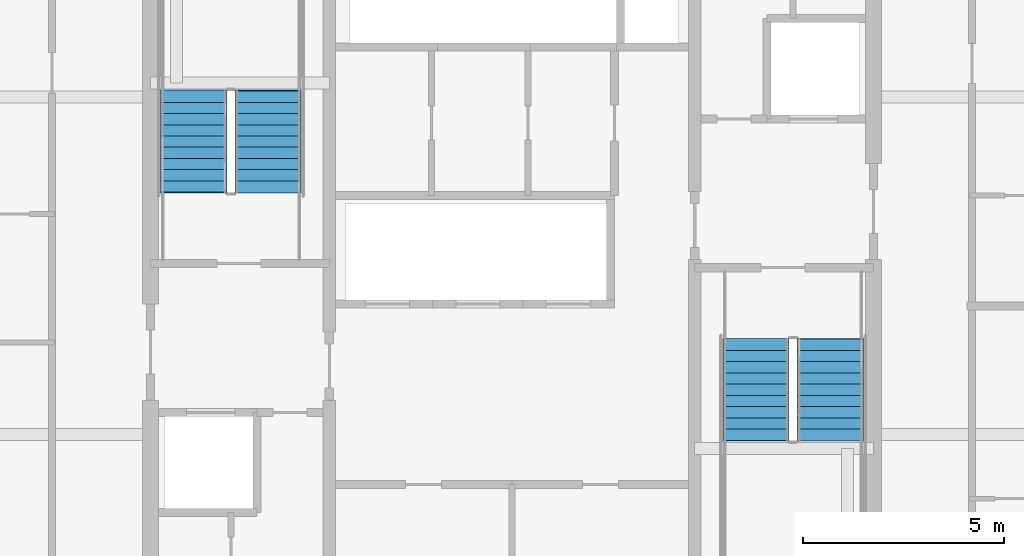
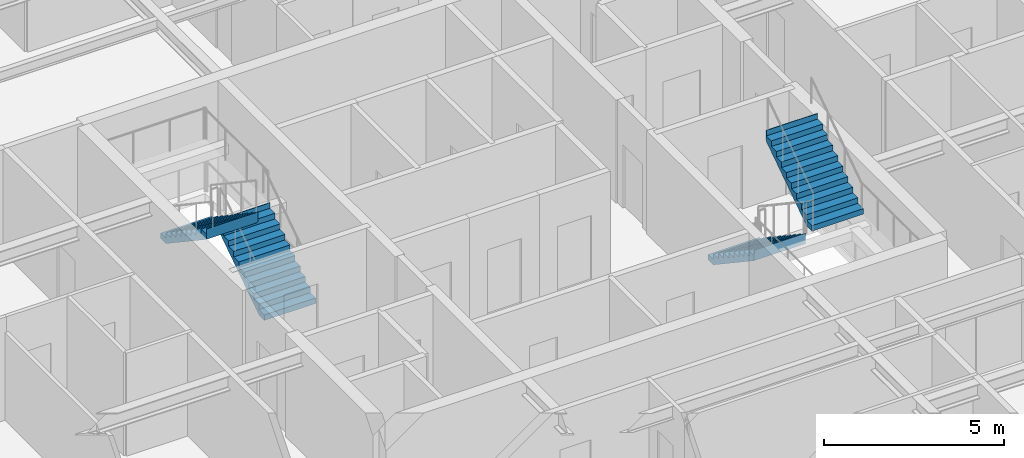
# One storey, part 29 of 35: 4 stair flights, 2 elements without a shape of their own.
"""IFC4 building model written with IfcOpenShell, lengths in metres."""

import ifcopenshell
import ifcopenshell.guid

model = None  # the IFC model being written
_history = None  # IfcOwnerHistory: only IFC2X3 demands one
_inside = {}  # id of a spatial element -> (the spatial element, [elements in it])
_under = {}  # id of a project, library or spatial element -> (it, [spatial elements below it])
_declared = {}  # id of a project -> (the project, [libraries it declares])
_typed = {}  # id of a type object -> (the type object, [elements of that type])
_made_of = {}  # id of a material, layer set ... -> (it, [elements and type objects made of it])


def new_model(schema):
    """Start an empty IFC model of exactly this schema.

    Asked for "IFC4X3", IfcOpenShell would pick the latest addendum, in which some entities
    have other attributes; the version numbers below select the first issue.
    IFC2X3 requires an IfcOwnerHistory on every rooted entity: one is made here for all.
    """
    global model, _history
    if schema == "IFC4X3":
        model = ifcopenshell.file(schema_version=(4, 3, 0, 0))
    else:
        model = ifcopenshell.file(schema=schema)
    _inside.clear()
    _under.clear()
    _declared.clear()
    _typed.clear()
    _made_of.clear()
    _history = None
    if model.schema == "IFC2X3":
        org = make("IfcOrganization", Name="unknown")
        user = make(
            "IfcPersonAndOrganization",
            ThePerson=make("IfcPerson", FamilyName="unknown"),
            TheOrganization=org,
        )
        app = make(
            "IfcApplication",
            ApplicationDeveloper=org,
            Version="unknown",
            ApplicationFullName="unknown",
            ApplicationIdentifier="unknown",
        )
        _history = make(
            "IfcOwnerHistory",
            OwningUser=user,
            OwningApplication=app,
            ChangeAction="ADDED",
            CreationDate=0,
        )
    return model


def make(cls, **values):
    """One entity of the class cls with the attributes given. An attribute that is None is left unset."""
    return model.create_entity(
        cls, **{name: value for name, value in values.items() if value is not None}
    )


def rooted(cls, **values):
    """An entity with a GlobalId (a new one), such as an element, a storey or a relation."""
    return make(cls, GlobalId=ifcopenshell.guid.new(), OwnerHistory=_history, **values)


def si_unit(unit_type, name, prefix=None):
    """IfcSIUnit, for example si_unit("LENGTHUNIT", "METRE", prefix="MILLI")."""
    return make("IfcSIUnit", UnitType=unit_type, Prefix=prefix, Name=name)


def assignment(units):
    """IfcUnitAssignment: the units of a project."""
    return None if units is None else make("IfcUnitAssignment", Units=units)


def point(xyz):
    """IfcCartesianPoint."""
    return None if xyz is None else make("IfcCartesianPoint", Coordinates=xyz)


def direction(xyz):
    """IfcDirection."""
    return None if xyz is None else make("IfcDirection", DirectionRatios=xyz)


def frame(location, z_axis=None, x_axis=None):
    """IfcAxis2Placement3D, a coordinate frame: its origin and axes. An axis left out is left unset."""
    return make(
        "IfcAxis2Placement3D",
        Location=point(location),
        Axis=direction(z_axis),
        RefDirection=direction(x_axis),
    )


def origin():
    """The frame at (0, 0, 0) with its axes left unset."""
    return frame((0.0, 0.0, 0.0))


def place(relative_to, where):
    """IfcLocalPlacement: puts the frame where relative to a parent placement (None: the world)."""
    return make(
        "IfcLocalPlacement", PlacementRelTo=relative_to, RelativePlacement=where
    )


def context(
    kind, dimensions, precision=None, world=None, true_north=None, identifier=None
):
    """IfcGeometricRepresentationContext, for example the 3D "Model" context."""
    return make(
        "IfcGeometricRepresentationContext",
        ContextIdentifier=identifier,
        ContextType=kind,
        CoordinateSpaceDimension=dimensions,
        Precision=precision,
        WorldCoordinateSystem=world,
        TrueNorth=true_north,
    )


def subcontext(parent, identifier, kind, view, scale=None):
    """IfcGeometricRepresentationSubContext, for example "Body" below "Model"."""
    return make(
        "IfcGeometricRepresentationSubContext",
        ContextIdentifier=identifier,
        ContextType=kind,
        ParentContext=parent,
        TargetScale=scale,
        TargetView=view,
    )


def project(units=None, contexts=None):
    """IfcProject with its units and contexts."""
    return rooted(
        "IfcProject",
        Name="project",
        RepresentationContexts=contexts,
        UnitsInContext=assignment(units),
    )


def spatial(cls, under=None, at=None, **own):
    """A site, building, storey or space (cls), placed at a placement, below another one or the project."""
    s = rooted(cls, ObjectPlacement=at, **own)
    if under is not None:
        _under.setdefault(under.id(), (under, []))[1].append(s)
    return s


def point_list(points):
    """IfcCartesianPointList2D or 3D."""
    cls = (
        "IfcCartesianPointList2D" if len(points[0]) == 2 else "IfcCartesianPointList3D"
    )
    return make(cls, CoordList=points)


def polygons(points, faces, closed=None, point_numbers=None):
    """IfcPolygonalFaceSet: a face is its outer loop, then its inner loops; points numbered from 1."""
    made = []
    for loops in faces:
        if len(loops) == 1:
            made.append(make("IfcIndexedPolygonalFace", CoordIndex=loops[0]))
        else:
            made.append(
                make(
                    "IfcIndexedPolygonalFaceWithVoids",
                    CoordIndex=loops[0],
                    InnerCoordIndices=loops[1:],
                )
            )
    return make(
        "IfcPolygonalFaceSet",
        Coordinates=point_list(points),
        Closed=closed,
        Faces=made,
        PnIndex=point_numbers,
    )


def shape(context_of_items, identifier, shape_type, items):
    """IfcShapeRepresentation: the items that make up one representation, for example the "Body"."""
    return make(
        "IfcShapeRepresentation",
        ContextOfItems=context_of_items,
        RepresentationIdentifier=identifier,
        RepresentationType=shape_type,
        Items=items,
    )


def material(Name=None, Category=None):
    """IfcMaterial."""
    return make("IfcMaterial", Name=Name, Category=Category)


def made_of(thing, what):
    """Note that an element or type object is made of a material, layer set ...; save() writes the relation."""
    if what is not None:
        _made_of.setdefault(what.id(), (what, []))[1].append(thing)
    return thing


def type_object(cls, material=None, **own):
    """A type object (cls), such as IfcWallType, which elements share."""
    return made_of(rooted(cls, **own), material)


def element(
    cls,
    number,
    at=None,
    inside=None,
    cuts=None,
    type_object=None,
    material=None,
    context=None,
    identifier="Body",
    shape_type=None,
    held_by="IfcProductDefinitionShape",
    body=None,
    shapes=None,
    **own,
):
    """One element of the class cls, such as IfcWall. Its Tag is "e" and its number.

    at: its placement. inside: the storey or other place that contains it. cuts: it is an
    opening in that element (IfcRelVoidsElement). A single representation is given by context,
    identifier, shape_type and body (its items); several are given by shapes. held_by: the class
    of the entity that holds the representations. save() writes the other relations.
    """
    e = rooted(cls, Tag="e%d" % number, ObjectPlacement=at, **own)
    if body is not None:
        shapes = [shape(context, identifier, shape_type, body)]
    if shapes is not None:
        e.Representation = make(held_by, Representations=shapes)
    if inside is not None:
        _inside.setdefault(inside.id(), (inside, []))[1].append(e)
    if cuts is not None:
        rooted(
            "IfcRelVoidsElement", RelatingBuildingElement=cuts, RelatedOpeningElement=e
        )
    if type_object is not None:
        _typed.setdefault(type_object.id(), (type_object, []))[1].append(e)
    return made_of(e, material)


def aggregate(whole, parts):
    """IfcRelAggregates: a whole, such as a stair, and the parts it consists of."""
    return rooted("IfcRelAggregates", RelatingObject=whole, RelatedObjects=parts)


def save(model, path):
    """Write the relations noted so far, then the file.

    IfcRelAggregates (storeys below a building ...), IfcRelContainedInSpatialStructure (elements
    in a storey), IfcRelDefinesByType, IfcRelAssociatesMaterial and IfcRelDeclares: one each for
    every whole, place, type object, material and project.
    """
    for whole, parts in _under.values():
        aggregate(whole, parts)
    for where, things in _inside.values():
        rooted(
            "IfcRelContainedInSpatialStructure",
            RelatedElements=things,
            RelatingStructure=where,
        )
    for kind, things in _typed.values():
        rooted("IfcRelDefinesByType", RelatedObjects=things, RelatingType=kind)
    for what, things in _made_of.values():
        rooted("IfcRelAssociatesMaterial", RelatedObjects=things, RelatingMaterial=what)
    for by, libraries in _declared.values():
        rooted("IfcRelDeclares", RelatingContext=by, RelatedDefinitions=libraries)
    model.write(path)


model = new_model("IFC4")

# Units and contexts
model_context = context("Model", 3, precision=1e-05, world=origin(), true_north=direction((0.0, 1.0)))
body_context = subcontext(model_context, "Body", "Model", "MODEL_VIEW")
ifc_project = project(units=[si_unit("LENGTHUNIT", "METRE"), si_unit("AREAUNIT", "SQUARE_METRE"), si_unit("VOLUMEUNIT", "CUBIC_METRE"), si_unit("PLANEANGLEUNIT", "RADIAN"), si_unit("MASSUNIT", "GRAM", prefix="KILO")], contexts=[model_context])

# Site, building, storey
site_placement = place(None, origin())
site = spatial("IfcSite", under=ifc_project, at=site_placement, CompositionType="ELEMENT")
building_placement = place(site_placement, origin())
building = spatial("IfcBuilding", under=site, at=building_placement, Name="Serunith Strait Residences", CompositionType="ELEMENT")
storey_placement = place(building_placement, frame((0.0, 0.0, 157.64990234375)))
storey = spatial("IfcBuildingStorey", under=building, at=storey_placement, Name="L39", CompositionType="ELEMENT", Elevation=157.64990234375)

# Stair, stair flights
ifc_material = material(Name="Concrete C50/60", Category="concrete")
stair_type_1 = type_object("IfcStairType", Name="STR-CORE-1", PredefinedType="HALF_TURN_STAIR", material=ifc_material)
stair_1_placement = place(storey_placement, origin())
stair_1 = element("IfcStair", 1, at=stair_1_placement, inside=storey, type_object=stair_type_1, Name="L39 Protected Escape Stair ST-1", PredefinedType="HALF_TURN_STAIR")
stair_flight_type_1 = type_object("IfcStairFlightType", Name="FLT-CORE-1", PredefinedType="STRAIGHT", material=ifc_material)
stair_flight_1_placement = place(storey_placement, frame((26.324951171875, 27.030029296875, 0.0), z_axis=(0.0, 0.0, 1.0), x_axis=(0.0, 1.0, 0.0)))
stair_flight_1 = element("IfcStairFlight", 2, at=stair_flight_1_placement, type_object=stair_flight_type_1, Name="ST-1 flight 1", NumberOfRisers=10, NumberOfTreads=9, PredefinedType="STRAIGHT", RiserHeight=0.1875, TreadLength=0.28, context=body_context, shape_type="Tessellation", body=[
    polygons([(-0.02001953125, -0.824951171875, 0.0), (-0.02001953125, -0.824951171875, 0.1875), (0.280029296875, -0.824951171875, 0.1875), (0.280029296875, -0.824951171875, 0.375), (0.56005859375, -0.824951171875, 0.375), (0.56005859375, -0.824951171875, 0.5625), (0.840087890625, -0.824951171875, 0.5625), (0.840087890625, -0.824951171875, 0.75), (1.1201171875, -0.824951171875, 0.75), (1.1201171875, -0.824951171875, 0.9375), (1.39990234375, -0.824951171875, 0.9375), (1.39990234375, -0.824951171875, 1.125), (1.679931640625, -0.824951171875, 1.125), (1.679931640625, -0.824951171875, 1.3125), (1.9599609375, -0.824951171875, 1.3125), (1.9599609375, -0.824951171875, 1.5), (2.239990234375, -0.824951171875, 1.5), (2.239990234375, -0.824951171875, 1.6875), (2.52001953125, -0.824951171875, 1.6875), (2.52001953125, -0.824951171875, 1.875), (2.5400390625, -0.824951171875, 1.875), (2.5400390625, -0.824951171875, 1.81494140625), (2.52001953125, -0.824951171875, 1.507080078125), (0.26953125, -0.824951171875, 0.0), (-0.02001953125, -0.41259765625, 0.0), (-0.02001953125, -0.41259765625, 0.1875), (0.280029296875, -0.41259765625, 0.1875), (0.280029296875, -0.41259765625, 0.375), (0.56005859375, -0.41259765625, 0.375), (0.56005859375, -0.41259765625, 0.5625), (0.840087890625, -0.41259765625, 0.5625), (0.840087890625, -0.41259765625, 0.75), (1.1201171875, -0.41259765625, 0.75), (1.1201171875, -0.41259765625, 0.9375), (1.39990234375, -0.41259765625, 0.9375), (1.39990234375, -0.41259765625, 1.125), (1.679931640625, -0.41259765625, 1.125), (1.679931640625, -0.41259765625, 1.3125), (1.9599609375, -0.41259765625, 1.3125), (1.9599609375, -0.41259765625, 1.5), (2.239990234375, -0.41259765625, 1.5), (2.239990234375, -0.41259765625, 1.6875), (2.52001953125, -0.41259765625, 1.6875), (2.52001953125, -0.41259765625, 1.875), (2.5400390625, -0.41259765625, 1.875), (2.5400390625, -0.41259765625, 1.81494140625), (2.52001953125, -0.41259765625, 1.507080078125), (0.26953125, -0.41259765625, 0.0), (-0.02001953125, 0.0, 0.0), (-0.02001953125, 0.0, 0.1875), (0.280029296875, 0.0, 0.1875), (0.280029296875, 0.0, 0.375), (0.56005859375, 0.0, 0.375), (0.56005859375, 0.0, 0.5625), (0.840087890625, 0.0, 0.5625), (0.840087890625, 0.0, 0.75), (1.1201171875, 0.0, 0.75), (1.1201171875, 0.0, 0.9375), (1.39990234375, 0.0, 0.9375), (1.39990234375, 0.0, 1.125), (1.679931640625, 0.0, 1.125), (1.679931640625, 0.0, 1.3125), (1.9599609375, 0.0, 1.3125), (1.9599609375, 0.0, 1.5), (2.239990234375, 0.0, 1.5), (2.239990234375, 0.0, 1.6875), (2.52001953125, 0.0, 1.6875), (2.52001953125, 0.0, 1.875), (2.5400390625, 0.0, 1.875), (2.5400390625, 0.0, 1.81494140625), (2.52001953125, 0.0, 1.507080078125), (0.26953125, 0.0, 0.0), (-0.02001953125, 0.41259765625, 0.0), (-0.02001953125, 0.41259765625, 0.1875), (0.280029296875, 0.41259765625, 0.1875), (0.280029296875, 0.41259765625, 0.375), (0.56005859375, 0.41259765625, 0.375), (0.56005859375, 0.41259765625, 0.5625), (0.840087890625, 0.41259765625, 0.5625), (0.840087890625, 0.41259765625, 0.75), (1.1201171875, 0.41259765625, 0.75), (1.1201171875, 0.41259765625, 0.9375), (1.39990234375, 0.41259765625, 0.9375), (1.39990234375, 0.41259765625, 1.125), (1.679931640625, 0.41259765625, 1.125), (1.679931640625, 0.41259765625, 1.3125), (1.9599609375, 0.41259765625, 1.3125), (1.9599609375, 0.41259765625, 1.5), (2.239990234375, 0.41259765625, 1.5), (2.239990234375, 0.41259765625, 1.6875), (2.52001953125, 0.41259765625, 1.6875), (2.52001953125, 0.41259765625, 1.875), (2.5400390625, 0.41259765625, 1.875), (2.5400390625, 0.41259765625, 1.81494140625), (2.52001953125, 0.41259765625, 1.507080078125), (0.26953125, 0.41259765625, 0.0), (-0.02001953125, 0.824951171875, 0.0), (-0.02001953125, 0.824951171875, 0.1875), (0.280029296875, 0.824951171875, 0.1875), (0.280029296875, 0.824951171875, 0.375), (0.56005859375, 0.824951171875, 0.375), (0.56005859375, 0.824951171875, 0.5625), (0.840087890625, 0.824951171875, 0.5625), (0.840087890625, 0.824951171875, 0.75), (1.1201171875, 0.824951171875, 0.75), (1.1201171875, 0.824951171875, 0.9375), (1.39990234375, 0.824951171875, 0.9375), (1.39990234375, 0.824951171875, 1.125), (1.679931640625, 0.824951171875, 1.125), (1.679931640625, 0.824951171875, 1.3125), (1.9599609375, 0.824951171875, 1.3125), (1.9599609375, 0.824951171875, 1.5), (2.239990234375, 0.824951171875, 1.5), (2.239990234375, 0.824951171875, 1.6875), (2.52001953125, 0.824951171875, 1.6875), (2.52001953125, 0.824951171875, 1.875), (2.5400390625, 0.824951171875, 1.875), (2.5400390625, 0.824951171875, 1.81494140625), (2.52001953125, 0.824951171875, 1.507080078125), (0.26953125, 0.824951171875, 0.0)], [[[1, 2, 26, 25]], [[2, 3, 27, 26]], [[3, 4, 28, 27]], [[4, 5, 29, 28]], [[5, 6, 30, 29]], [[6, 7, 31, 30]], [[7, 8, 32, 31]], [[8, 9, 33, 32]], [[9, 10, 34, 33]], [[10, 11, 35, 34]], [[11, 12, 36, 35]], [[12, 13, 37, 36]], [[13, 14, 38, 37]], [[14, 15, 39, 38]], [[15, 16, 40, 39]], [[16, 17, 41, 40]], [[17, 18, 42, 41]], [[18, 19, 43, 42]], [[19, 20, 44, 43]], [[20, 21, 45, 44]], [[21, 22, 46, 45]], [[22, 23, 47, 46]], [[23, 24, 48, 47]], [[24, 1, 25, 48]], [[25, 26, 50, 49]], [[26, 27, 51, 50]], [[27, 28, 52, 51]], [[28, 29, 53, 52]], [[29, 30, 54, 53]], [[30, 31, 55, 54]], [[31, 32, 56, 55]], [[32, 33, 57, 56]], [[33, 34, 58, 57]], [[34, 35, 59, 58]], [[35, 36, 60, 59]], [[36, 37, 61, 60]], [[37, 38, 62, 61]], [[38, 39, 63, 62]], [[39, 40, 64, 63]], [[40, 41, 65, 64]], [[41, 42, 66, 65]], [[42, 43, 67, 66]], [[43, 44, 68, 67]], [[44, 45, 69, 68]], [[45, 46, 70, 69]], [[46, 47, 71, 70]], [[47, 48, 72, 71]], [[48, 25, 49, 72]], [[49, 50, 74, 73]], [[50, 51, 75, 74]], [[51, 52, 76, 75]], [[52, 53, 77, 76]], [[53, 54, 78, 77]], [[54, 55, 79, 78]], [[55, 56, 80, 79]], [[56, 57, 81, 80]], [[57, 58, 82, 81]], [[58, 59, 83, 82]], [[59, 60, 84, 83]], [[60, 61, 85, 84]], [[61, 62, 86, 85]], [[62, 63, 87, 86]], [[63, 64, 88, 87]], [[64, 65, 89, 88]], [[65, 66, 90, 89]], [[66, 67, 91, 90]], [[67, 68, 92, 91]], [[68, 69, 93, 92]], [[69, 70, 94, 93]], [[70, 71, 95, 94]], [[71, 72, 96, 95]], [[72, 49, 73, 96]], [[73, 74, 98, 97]], [[74, 75, 99, 98]], [[75, 76, 100, 99]], [[76, 77, 101, 100]], [[77, 78, 102, 101]], [[78, 79, 103, 102]], [[79, 80, 104, 103]], [[80, 81, 105, 104]], [[81, 82, 106, 105]], [[82, 83, 107, 106]], [[83, 84, 108, 107]], [[84, 85, 109, 108]], [[85, 86, 110, 109]], [[86, 87, 111, 110]], [[87, 88, 112, 111]], [[88, 89, 113, 112]], [[89, 90, 114, 113]], [[90, 91, 115, 114]], [[91, 92, 116, 115]], [[92, 93, 117, 116]], [[93, 94, 118, 117]], [[94, 95, 119, 118]], [[95, 96, 120, 119]], [[96, 73, 97, 120]], [[24, 23, 22, 21, 20, 19, 18, 17, 16, 15, 14, 13, 12, 11, 10, 9, 8, 7, 6, 5, 4, 3, 2, 1]], [[97, 98, 99, 100, 101, 102, 103, 104, 105, 106, 107, 108, 109, 110, 111, 112, 113, 114, 115, 116, 117, 118, 119, 120]]], closed=True),
])
stair_flight_2_placement = place(storey_placement, frame((24.47509765625, 29.550048828125, 1.875), z_axis=(0.0, 0.0, 1.0), x_axis=(0.0, -1.0, 0.0)))
stair_flight_2 = element("IfcStairFlight", 3, at=stair_flight_2_placement, type_object=stair_flight_type_1, Name="ST-1 flight 2", NumberOfRisers=10, NumberOfTreads=9, PredefinedType="STRAIGHT", RiserHeight=0.1875, TreadLength=0.28, context=body_context, shape_type="Tessellation", body=[
    polygons([(-0.02001953125, -0.824951171875, 0.0), (-0.02001953125, -0.824951171875, 0.1875), (0.280029296875, -0.824951171875, 0.1875), (0.280029296875, -0.824951171875, 0.375), (0.56005859375, -0.824951171875, 0.375), (0.56005859375, -0.824951171875, 0.5625), (0.840087890625, -0.824951171875, 0.5625), (0.840087890625, -0.824951171875, 0.75), (1.1201171875, -0.824951171875, 0.75), (1.1201171875, -0.824951171875, 0.9375), (1.39990234375, -0.824951171875, 0.9375), (1.39990234375, -0.824951171875, 1.125), (1.679931640625, -0.824951171875, 1.125), (1.679931640625, -0.824951171875, 1.3125), (1.9599609375, -0.824951171875, 1.3125), (1.9599609375, -0.824951171875, 1.5), (2.239990234375, -0.824951171875, 1.5), (2.239990234375, -0.824951171875, 1.6875), (2.52001953125, -0.824951171875, 1.6875), (2.52001953125, -0.824951171875, 1.875), (2.5400390625, -0.824951171875, 1.875), (2.5400390625, -0.824951171875, 1.81494140625), (2.52001953125, -0.824951171875, 1.507080078125), (0.26953125, -0.824951171875, 0.0), (-0.02001953125, -0.41259765625, 0.0), (-0.02001953125, -0.41259765625, 0.1875), (0.280029296875, -0.41259765625, 0.1875), (0.280029296875, -0.41259765625, 0.375), (0.56005859375, -0.41259765625, 0.375), (0.56005859375, -0.41259765625, 0.5625), (0.840087890625, -0.41259765625, 0.5625), (0.840087890625, -0.41259765625, 0.75), (1.1201171875, -0.41259765625, 0.75), (1.1201171875, -0.41259765625, 0.9375), (1.39990234375, -0.41259765625, 0.9375), (1.39990234375, -0.41259765625, 1.125), (1.679931640625, -0.41259765625, 1.125), (1.679931640625, -0.41259765625, 1.3125), (1.9599609375, -0.41259765625, 1.3125), (1.9599609375, -0.41259765625, 1.5), (2.239990234375, -0.41259765625, 1.5), (2.239990234375, -0.41259765625, 1.6875), (2.52001953125, -0.41259765625, 1.6875), (2.52001953125, -0.41259765625, 1.875), (2.5400390625, -0.41259765625, 1.875), (2.5400390625, -0.41259765625, 1.81494140625), (2.52001953125, -0.41259765625, 1.507080078125), (0.26953125, -0.41259765625, 0.0), (-0.02001953125, 0.0, 0.0), (-0.02001953125, 0.0, 0.1875), (0.280029296875, 0.0, 0.1875), (0.280029296875, 0.0, 0.375), (0.56005859375, 0.0, 0.375), (0.56005859375, 0.0, 0.5625), (0.840087890625, 0.0, 0.5625), (0.840087890625, 0.0, 0.75), (1.1201171875, 0.0, 0.75), (1.1201171875, 0.0, 0.9375), (1.39990234375, 0.0, 0.9375), (1.39990234375, 0.0, 1.125), (1.679931640625, 0.0, 1.125), (1.679931640625, 0.0, 1.3125), (1.9599609375, 0.0, 1.3125), (1.9599609375, 0.0, 1.5), (2.239990234375, 0.0, 1.5), (2.239990234375, 0.0, 1.6875), (2.52001953125, 0.0, 1.6875), (2.52001953125, 0.0, 1.875), (2.5400390625, 0.0, 1.875), (2.5400390625, 0.0, 1.81494140625), (2.52001953125, 0.0, 1.507080078125), (0.26953125, 0.0, 0.0), (-0.02001953125, 0.41259765625, 0.0), (-0.02001953125, 0.41259765625, 0.1875), (0.280029296875, 0.41259765625, 0.1875), (0.280029296875, 0.41259765625, 0.375), (0.56005859375, 0.41259765625, 0.375), (0.56005859375, 0.41259765625, 0.5625), (0.840087890625, 0.41259765625, 0.5625), (0.840087890625, 0.41259765625, 0.75), (1.1201171875, 0.41259765625, 0.75), (1.1201171875, 0.41259765625, 0.9375), (1.39990234375, 0.41259765625, 0.9375), (1.39990234375, 0.41259765625, 1.125), (1.679931640625, 0.41259765625, 1.125), (1.679931640625, 0.41259765625, 1.3125), (1.9599609375, 0.41259765625, 1.3125), (1.9599609375, 0.41259765625, 1.5), (2.239990234375, 0.41259765625, 1.5), (2.239990234375, 0.41259765625, 1.6875), (2.52001953125, 0.41259765625, 1.6875), (2.52001953125, 0.41259765625, 1.875), (2.5400390625, 0.41259765625, 1.875), (2.5400390625, 0.41259765625, 1.81494140625), (2.52001953125, 0.41259765625, 1.507080078125), (0.26953125, 0.41259765625, 0.0), (-0.02001953125, 0.824951171875, 0.0), (-0.02001953125, 0.824951171875, 0.1875), (0.280029296875, 0.824951171875, 0.1875), (0.280029296875, 0.824951171875, 0.375), (0.56005859375, 0.824951171875, 0.375), (0.56005859375, 0.824951171875, 0.5625), (0.840087890625, 0.824951171875, 0.5625), (0.840087890625, 0.824951171875, 0.75), (1.1201171875, 0.824951171875, 0.75), (1.1201171875, 0.824951171875, 0.9375), (1.39990234375, 0.824951171875, 0.9375), (1.39990234375, 0.824951171875, 1.125), (1.679931640625, 0.824951171875, 1.125), (1.679931640625, 0.824951171875, 1.3125), (1.9599609375, 0.824951171875, 1.3125), (1.9599609375, 0.824951171875, 1.5), (2.239990234375, 0.824951171875, 1.5), (2.239990234375, 0.824951171875, 1.6875), (2.52001953125, 0.824951171875, 1.6875), (2.52001953125, 0.824951171875, 1.875), (2.5400390625, 0.824951171875, 1.875), (2.5400390625, 0.824951171875, 1.81494140625), (2.52001953125, 0.824951171875, 1.507080078125), (0.26953125, 0.824951171875, 0.0)], [[[1, 2, 26, 25]], [[2, 3, 27, 26]], [[3, 4, 28, 27]], [[4, 5, 29, 28]], [[5, 6, 30, 29]], [[6, 7, 31, 30]], [[7, 8, 32, 31]], [[8, 9, 33, 32]], [[9, 10, 34, 33]], [[10, 11, 35, 34]], [[11, 12, 36, 35]], [[12, 13, 37, 36]], [[13, 14, 38, 37]], [[14, 15, 39, 38]], [[15, 16, 40, 39]], [[16, 17, 41, 40]], [[17, 18, 42, 41]], [[18, 19, 43, 42]], [[19, 20, 44, 43]], [[20, 21, 45, 44]], [[21, 22, 46, 45]], [[22, 23, 47, 46]], [[23, 24, 48, 47]], [[24, 1, 25, 48]], [[25, 26, 50, 49]], [[26, 27, 51, 50]], [[27, 28, 52, 51]], [[28, 29, 53, 52]], [[29, 30, 54, 53]], [[30, 31, 55, 54]], [[31, 32, 56, 55]], [[32, 33, 57, 56]], [[33, 34, 58, 57]], [[34, 35, 59, 58]], [[35, 36, 60, 59]], [[36, 37, 61, 60]], [[37, 38, 62, 61]], [[38, 39, 63, 62]], [[39, 40, 64, 63]], [[40, 41, 65, 64]], [[41, 42, 66, 65]], [[42, 43, 67, 66]], [[43, 44, 68, 67]], [[44, 45, 69, 68]], [[45, 46, 70, 69]], [[46, 47, 71, 70]], [[47, 48, 72, 71]], [[48, 25, 49, 72]], [[49, 50, 74, 73]], [[50, 51, 75, 74]], [[51, 52, 76, 75]], [[52, 53, 77, 76]], [[53, 54, 78, 77]], [[54, 55, 79, 78]], [[55, 56, 80, 79]], [[56, 57, 81, 80]], [[57, 58, 82, 81]], [[58, 59, 83, 82]], [[59, 60, 84, 83]], [[60, 61, 85, 84]], [[61, 62, 86, 85]], [[62, 63, 87, 86]], [[63, 64, 88, 87]], [[64, 65, 89, 88]], [[65, 66, 90, 89]], [[66, 67, 91, 90]], [[67, 68, 92, 91]], [[68, 69, 93, 92]], [[69, 70, 94, 93]], [[70, 71, 95, 94]], [[71, 72, 96, 95]], [[72, 49, 73, 96]], [[73, 74, 98, 97]], [[74, 75, 99, 98]], [[75, 76, 100, 99]], [[76, 77, 101, 100]], [[77, 78, 102, 101]], [[78, 79, 103, 102]], [[79, 80, 104, 103]], [[80, 81, 105, 104]], [[81, 82, 106, 105]], [[82, 83, 107, 106]], [[83, 84, 108, 107]], [[84, 85, 109, 108]], [[85, 86, 110, 109]], [[86, 87, 111, 110]], [[87, 88, 112, 111]], [[88, 89, 113, 112]], [[89, 90, 114, 113]], [[90, 91, 115, 114]], [[91, 92, 116, 115]], [[92, 93, 117, 116]], [[93, 94, 118, 117]], [[94, 95, 119, 118]], [[95, 96, 120, 119]], [[96, 73, 97, 120]], [[24, 23, 22, 21, 20, 19, 18, 17, 16, 15, 14, 13, 12, 11, 10, 9, 8, 7, 6, 5, 4, 3, 2, 1]], [[97, 98, 99, 100, 101, 102, 103, 104, 105, 106, 107, 108, 109, 110, 111, 112, 113, 114, 115, 116, 117, 118, 119, 120]]], closed=True),
])
aggregate(stair_1, [stair_flight_1, stair_flight_2])

stair_type_2 = type_object("IfcStairType", Name="STR-CORE-2", PredefinedType="HALF_TURN_STAIR", material=ifc_material)
stair_2_placement = place(storey_placement, origin())
stair_2 = element("IfcStair", 4, at=stair_2_placement, inside=storey, type_object=stair_type_2, Name="L39 Protected Escape Stair ST-2", PredefinedType="HALF_TURN_STAIR")
stair_flight_type_2 = type_object("IfcStairFlightType", Name="FLT-CORE-2", PredefinedType="STRAIGHT", material=ifc_material)
stair_flight_3_placement = place(storey_placement, frame((38.47509765625, 23.3701171875, 0.0), z_axis=(0.0, 0.0, 1.0), x_axis=(0.0, -1.0, 0.0)))
stair_flight_3 = element("IfcStairFlight", 5, at=stair_flight_3_placement, type_object=stair_flight_type_2, Name="ST-2 flight 1", NumberOfRisers=10, NumberOfTreads=9, PredefinedType="STRAIGHT", RiserHeight=0.1875, TreadLength=0.28, context=body_context, shape_type="Tessellation", body=[
    polygons([(-0.02001953125, -0.824951171875, 0.0), (-0.02001953125, -0.824951171875, 0.1875), (0.280029296875, -0.824951171875, 0.1875), (0.280029296875, -0.824951171875, 0.375), (0.56005859375, -0.824951171875, 0.375), (0.56005859375, -0.824951171875, 0.5625), (0.840087890625, -0.824951171875, 0.5625), (0.840087890625, -0.824951171875, 0.75), (1.1201171875, -0.824951171875, 0.75), (1.1201171875, -0.824951171875, 0.9375), (1.39990234375, -0.824951171875, 0.9375), (1.39990234375, -0.824951171875, 1.125), (1.679931640625, -0.824951171875, 1.125), (1.679931640625, -0.824951171875, 1.3125), (1.9599609375, -0.824951171875, 1.3125), (1.9599609375, -0.824951171875, 1.5), (2.239990234375, -0.824951171875, 1.5), (2.239990234375, -0.824951171875, 1.6875), (2.52001953125, -0.824951171875, 1.6875), (2.52001953125, -0.824951171875, 1.875), (2.5400390625, -0.824951171875, 1.875), (2.5400390625, -0.824951171875, 1.81494140625), (2.52001953125, -0.824951171875, 1.507080078125), (0.26953125, -0.824951171875, 0.0), (-0.02001953125, -0.41259765625, 0.0), (-0.02001953125, -0.41259765625, 0.1875), (0.280029296875, -0.41259765625, 0.1875), (0.280029296875, -0.41259765625, 0.375), (0.56005859375, -0.41259765625, 0.375), (0.56005859375, -0.41259765625, 0.5625), (0.840087890625, -0.41259765625, 0.5625), (0.840087890625, -0.41259765625, 0.75), (1.1201171875, -0.41259765625, 0.75), (1.1201171875, -0.41259765625, 0.9375), (1.39990234375, -0.41259765625, 0.9375), (1.39990234375, -0.41259765625, 1.125), (1.679931640625, -0.41259765625, 1.125), (1.679931640625, -0.41259765625, 1.3125), (1.9599609375, -0.41259765625, 1.3125), (1.9599609375, -0.41259765625, 1.5), (2.239990234375, -0.41259765625, 1.5), (2.239990234375, -0.41259765625, 1.6875), (2.52001953125, -0.41259765625, 1.6875), (2.52001953125, -0.41259765625, 1.875), (2.5400390625, -0.41259765625, 1.875), (2.5400390625, -0.41259765625, 1.81494140625), (2.52001953125, -0.41259765625, 1.507080078125), (0.26953125, -0.41259765625, 0.0), (-0.02001953125, 0.0, 0.0), (-0.02001953125, 0.0, 0.1875), (0.280029296875, 0.0, 0.1875), (0.280029296875, 0.0, 0.375), (0.56005859375, 0.0, 0.375), (0.56005859375, 0.0, 0.5625), (0.840087890625, 0.0, 0.5625), (0.840087890625, 0.0, 0.75), (1.1201171875, 0.0, 0.75), (1.1201171875, 0.0, 0.9375), (1.39990234375, 0.0, 0.9375), (1.39990234375, 0.0, 1.125), (1.679931640625, 0.0, 1.125), (1.679931640625, 0.0, 1.3125), (1.9599609375, 0.0, 1.3125), (1.9599609375, 0.0, 1.5), (2.239990234375, 0.0, 1.5), (2.239990234375, 0.0, 1.6875), (2.52001953125, 0.0, 1.6875), (2.52001953125, 0.0, 1.875), (2.5400390625, 0.0, 1.875), (2.5400390625, 0.0, 1.81494140625), (2.52001953125, 0.0, 1.507080078125), (0.26953125, 0.0, 0.0), (-0.02001953125, 0.41259765625, 0.0), (-0.02001953125, 0.41259765625, 0.1875), (0.280029296875, 0.41259765625, 0.1875), (0.280029296875, 0.41259765625, 0.375), (0.56005859375, 0.41259765625, 0.375), (0.56005859375, 0.41259765625, 0.5625), (0.840087890625, 0.41259765625, 0.5625), (0.840087890625, 0.41259765625, 0.75), (1.1201171875, 0.41259765625, 0.75), (1.1201171875, 0.41259765625, 0.9375), (1.39990234375, 0.41259765625, 0.9375), (1.39990234375, 0.41259765625, 1.125), (1.679931640625, 0.41259765625, 1.125), (1.679931640625, 0.41259765625, 1.3125), (1.9599609375, 0.41259765625, 1.3125), (1.9599609375, 0.41259765625, 1.5), (2.239990234375, 0.41259765625, 1.5), (2.239990234375, 0.41259765625, 1.6875), (2.52001953125, 0.41259765625, 1.6875), (2.52001953125, 0.41259765625, 1.875), (2.5400390625, 0.41259765625, 1.875), (2.5400390625, 0.41259765625, 1.81494140625), (2.52001953125, 0.41259765625, 1.507080078125), (0.26953125, 0.41259765625, 0.0), (-0.02001953125, 0.824951171875, 0.0), (-0.02001953125, 0.824951171875, 0.1875), (0.280029296875, 0.824951171875, 0.1875), (0.280029296875, 0.824951171875, 0.375), (0.56005859375, 0.824951171875, 0.375), (0.56005859375, 0.824951171875, 0.5625), (0.840087890625, 0.824951171875, 0.5625), (0.840087890625, 0.824951171875, 0.75), (1.1201171875, 0.824951171875, 0.75), (1.1201171875, 0.824951171875, 0.9375), (1.39990234375, 0.824951171875, 0.9375), (1.39990234375, 0.824951171875, 1.125), (1.679931640625, 0.824951171875, 1.125), (1.679931640625, 0.824951171875, 1.3125), (1.9599609375, 0.824951171875, 1.3125), (1.9599609375, 0.824951171875, 1.5), (2.239990234375, 0.824951171875, 1.5), (2.239990234375, 0.824951171875, 1.6875), (2.52001953125, 0.824951171875, 1.6875), (2.52001953125, 0.824951171875, 1.875), (2.5400390625, 0.824951171875, 1.875), (2.5400390625, 0.824951171875, 1.81494140625), (2.52001953125, 0.824951171875, 1.507080078125), (0.26953125, 0.824951171875, 0.0)], [[[1, 2, 26, 25]], [[2, 3, 27, 26]], [[3, 4, 28, 27]], [[4, 5, 29, 28]], [[5, 6, 30, 29]], [[6, 7, 31, 30]], [[7, 8, 32, 31]], [[8, 9, 33, 32]], [[9, 10, 34, 33]], [[10, 11, 35, 34]], [[11, 12, 36, 35]], [[12, 13, 37, 36]], [[13, 14, 38, 37]], [[14, 15, 39, 38]], [[15, 16, 40, 39]], [[16, 17, 41, 40]], [[17, 18, 42, 41]], [[18, 19, 43, 42]], [[19, 20, 44, 43]], [[20, 21, 45, 44]], [[21, 22, 46, 45]], [[22, 23, 47, 46]], [[23, 24, 48, 47]], [[24, 1, 25, 48]], [[25, 26, 50, 49]], [[26, 27, 51, 50]], [[27, 28, 52, 51]], [[28, 29, 53, 52]], [[29, 30, 54, 53]], [[30, 31, 55, 54]], [[31, 32, 56, 55]], [[32, 33, 57, 56]], [[33, 34, 58, 57]], [[34, 35, 59, 58]], [[35, 36, 60, 59]], [[36, 37, 61, 60]], [[37, 38, 62, 61]], [[38, 39, 63, 62]], [[39, 40, 64, 63]], [[40, 41, 65, 64]], [[41, 42, 66, 65]], [[42, 43, 67, 66]], [[43, 44, 68, 67]], [[44, 45, 69, 68]], [[45, 46, 70, 69]], [[46, 47, 71, 70]], [[47, 48, 72, 71]], [[48, 25, 49, 72]], [[49, 50, 74, 73]], [[50, 51, 75, 74]], [[51, 52, 76, 75]], [[52, 53, 77, 76]], [[53, 54, 78, 77]], [[54, 55, 79, 78]], [[55, 56, 80, 79]], [[56, 57, 81, 80]], [[57, 58, 82, 81]], [[58, 59, 83, 82]], [[59, 60, 84, 83]], [[60, 61, 85, 84]], [[61, 62, 86, 85]], [[62, 63, 87, 86]], [[63, 64, 88, 87]], [[64, 65, 89, 88]], [[65, 66, 90, 89]], [[66, 67, 91, 90]], [[67, 68, 92, 91]], [[68, 69, 93, 92]], [[69, 70, 94, 93]], [[70, 71, 95, 94]], [[71, 72, 96, 95]], [[72, 49, 73, 96]], [[73, 74, 98, 97]], [[74, 75, 99, 98]], [[75, 76, 100, 99]], [[76, 77, 101, 100]], [[77, 78, 102, 101]], [[78, 79, 103, 102]], [[79, 80, 104, 103]], [[80, 81, 105, 104]], [[81, 82, 106, 105]], [[82, 83, 107, 106]], [[83, 84, 108, 107]], [[84, 85, 109, 108]], [[85, 86, 110, 109]], [[86, 87, 111, 110]], [[87, 88, 112, 111]], [[88, 89, 113, 112]], [[89, 90, 114, 113]], [[90, 91, 115, 114]], [[91, 92, 116, 115]], [[92, 93, 117, 116]], [[93, 94, 118, 117]], [[94, 95, 119, 118]], [[95, 96, 120, 119]], [[96, 73, 97, 120]], [[24, 23, 22, 21, 20, 19, 18, 17, 16, 15, 14, 13, 12, 11, 10, 9, 8, 7, 6, 5, 4, 3, 2, 1]], [[97, 98, 99, 100, 101, 102, 103, 104, 105, 106, 107, 108, 109, 110, 111, 112, 113, 114, 115, 116, 117, 118, 119, 120]]], closed=True),
])
stair_flight_4_placement = place(storey_placement, frame((40.324951171875, 20.85009765625, 1.875), z_axis=(0.0, 0.0, 1.0), x_axis=(0.0, 1.0, 0.0)))
stair_flight_4 = element("IfcStairFlight", 6, at=stair_flight_4_placement, type_object=stair_flight_type_2, Name="ST-2 flight 2", NumberOfRisers=10, NumberOfTreads=9, PredefinedType="STRAIGHT", RiserHeight=0.1875, TreadLength=0.28, context=body_context, shape_type="Tessellation", body=[
    polygons([(-0.02001953125, -0.824951171875, 0.0), (-0.02001953125, -0.824951171875, 0.1875), (0.280029296875, -0.824951171875, 0.1875), (0.280029296875, -0.824951171875, 0.375), (0.56005859375, -0.824951171875, 0.375), (0.56005859375, -0.824951171875, 0.5625), (0.840087890625, -0.824951171875, 0.5625), (0.840087890625, -0.824951171875, 0.75), (1.1201171875, -0.824951171875, 0.75), (1.1201171875, -0.824951171875, 0.9375), (1.39990234375, -0.824951171875, 0.9375), (1.39990234375, -0.824951171875, 1.125), (1.679931640625, -0.824951171875, 1.125), (1.679931640625, -0.824951171875, 1.3125), (1.9599609375, -0.824951171875, 1.3125), (1.9599609375, -0.824951171875, 1.5), (2.239990234375, -0.824951171875, 1.5), (2.239990234375, -0.824951171875, 1.6875), (2.52001953125, -0.824951171875, 1.6875), (2.52001953125, -0.824951171875, 1.875), (2.5400390625, -0.824951171875, 1.875), (2.5400390625, -0.824951171875, 1.81494140625), (2.52001953125, -0.824951171875, 1.507080078125), (0.26953125, -0.824951171875, 0.0), (-0.02001953125, -0.41259765625, 0.0), (-0.02001953125, -0.41259765625, 0.1875), (0.280029296875, -0.41259765625, 0.1875), (0.280029296875, -0.41259765625, 0.375), (0.56005859375, -0.41259765625, 0.375), (0.56005859375, -0.41259765625, 0.5625), (0.840087890625, -0.41259765625, 0.5625), (0.840087890625, -0.41259765625, 0.75), (1.1201171875, -0.41259765625, 0.75), (1.1201171875, -0.41259765625, 0.9375), (1.39990234375, -0.41259765625, 0.9375), (1.39990234375, -0.41259765625, 1.125), (1.679931640625, -0.41259765625, 1.125), (1.679931640625, -0.41259765625, 1.3125), (1.9599609375, -0.41259765625, 1.3125), (1.9599609375, -0.41259765625, 1.5), (2.239990234375, -0.41259765625, 1.5), (2.239990234375, -0.41259765625, 1.6875), (2.52001953125, -0.41259765625, 1.6875), (2.52001953125, -0.41259765625, 1.875), (2.5400390625, -0.41259765625, 1.875), (2.5400390625, -0.41259765625, 1.81494140625), (2.52001953125, -0.41259765625, 1.507080078125), (0.26953125, -0.41259765625, 0.0), (-0.02001953125, 0.0, 0.0), (-0.02001953125, 0.0, 0.1875), (0.280029296875, 0.0, 0.1875), (0.280029296875, 0.0, 0.375), (0.56005859375, 0.0, 0.375), (0.56005859375, 0.0, 0.5625), (0.840087890625, 0.0, 0.5625), (0.840087890625, 0.0, 0.75), (1.1201171875, 0.0, 0.75), (1.1201171875, 0.0, 0.9375), (1.39990234375, 0.0, 0.9375), (1.39990234375, 0.0, 1.125), (1.679931640625, 0.0, 1.125), (1.679931640625, 0.0, 1.3125), (1.9599609375, 0.0, 1.3125), (1.9599609375, 0.0, 1.5), (2.239990234375, 0.0, 1.5), (2.239990234375, 0.0, 1.6875), (2.52001953125, 0.0, 1.6875), (2.52001953125, 0.0, 1.875), (2.5400390625, 0.0, 1.875), (2.5400390625, 0.0, 1.81494140625), (2.52001953125, 0.0, 1.507080078125), (0.26953125, 0.0, 0.0), (-0.02001953125, 0.41259765625, 0.0), (-0.02001953125, 0.41259765625, 0.1875), (0.280029296875, 0.41259765625, 0.1875), (0.280029296875, 0.41259765625, 0.375), (0.56005859375, 0.41259765625, 0.375), (0.56005859375, 0.41259765625, 0.5625), (0.840087890625, 0.41259765625, 0.5625), (0.840087890625, 0.41259765625, 0.75), (1.1201171875, 0.41259765625, 0.75), (1.1201171875, 0.41259765625, 0.9375), (1.39990234375, 0.41259765625, 0.9375), (1.39990234375, 0.41259765625, 1.125), (1.679931640625, 0.41259765625, 1.125), (1.679931640625, 0.41259765625, 1.3125), (1.9599609375, 0.41259765625, 1.3125), (1.9599609375, 0.41259765625, 1.5), (2.239990234375, 0.41259765625, 1.5), (2.239990234375, 0.41259765625, 1.6875), (2.52001953125, 0.41259765625, 1.6875), (2.52001953125, 0.41259765625, 1.875), (2.5400390625, 0.41259765625, 1.875), (2.5400390625, 0.41259765625, 1.81494140625), (2.52001953125, 0.41259765625, 1.507080078125), (0.26953125, 0.41259765625, 0.0), (-0.02001953125, 0.824951171875, 0.0), (-0.02001953125, 0.824951171875, 0.1875), (0.280029296875, 0.824951171875, 0.1875), (0.280029296875, 0.824951171875, 0.375), (0.56005859375, 0.824951171875, 0.375), (0.56005859375, 0.824951171875, 0.5625), (0.840087890625, 0.824951171875, 0.5625), (0.840087890625, 0.824951171875, 0.75), (1.1201171875, 0.824951171875, 0.75), (1.1201171875, 0.824951171875, 0.9375), (1.39990234375, 0.824951171875, 0.9375), (1.39990234375, 0.824951171875, 1.125), (1.679931640625, 0.824951171875, 1.125), (1.679931640625, 0.824951171875, 1.3125), (1.9599609375, 0.824951171875, 1.3125), (1.9599609375, 0.824951171875, 1.5), (2.239990234375, 0.824951171875, 1.5), (2.239990234375, 0.824951171875, 1.6875), (2.52001953125, 0.824951171875, 1.6875), (2.52001953125, 0.824951171875, 1.875), (2.5400390625, 0.824951171875, 1.875), (2.5400390625, 0.824951171875, 1.81494140625), (2.52001953125, 0.824951171875, 1.507080078125), (0.26953125, 0.824951171875, 0.0)], [[[1, 2, 26, 25]], [[2, 3, 27, 26]], [[3, 4, 28, 27]], [[4, 5, 29, 28]], [[5, 6, 30, 29]], [[6, 7, 31, 30]], [[7, 8, 32, 31]], [[8, 9, 33, 32]], [[9, 10, 34, 33]], [[10, 11, 35, 34]], [[11, 12, 36, 35]], [[12, 13, 37, 36]], [[13, 14, 38, 37]], [[14, 15, 39, 38]], [[15, 16, 40, 39]], [[16, 17, 41, 40]], [[17, 18, 42, 41]], [[18, 19, 43, 42]], [[19, 20, 44, 43]], [[20, 21, 45, 44]], [[21, 22, 46, 45]], [[22, 23, 47, 46]], [[23, 24, 48, 47]], [[24, 1, 25, 48]], [[25, 26, 50, 49]], [[26, 27, 51, 50]], [[27, 28, 52, 51]], [[28, 29, 53, 52]], [[29, 30, 54, 53]], [[30, 31, 55, 54]], [[31, 32, 56, 55]], [[32, 33, 57, 56]], [[33, 34, 58, 57]], [[34, 35, 59, 58]], [[35, 36, 60, 59]], [[36, 37, 61, 60]], [[37, 38, 62, 61]], [[38, 39, 63, 62]], [[39, 40, 64, 63]], [[40, 41, 65, 64]], [[41, 42, 66, 65]], [[42, 43, 67, 66]], [[43, 44, 68, 67]], [[44, 45, 69, 68]], [[45, 46, 70, 69]], [[46, 47, 71, 70]], [[47, 48, 72, 71]], [[48, 25, 49, 72]], [[49, 50, 74, 73]], [[50, 51, 75, 74]], [[51, 52, 76, 75]], [[52, 53, 77, 76]], [[53, 54, 78, 77]], [[54, 55, 79, 78]], [[55, 56, 80, 79]], [[56, 57, 81, 80]], [[57, 58, 82, 81]], [[58, 59, 83, 82]], [[59, 60, 84, 83]], [[60, 61, 85, 84]], [[61, 62, 86, 85]], [[62, 63, 87, 86]], [[63, 64, 88, 87]], [[64, 65, 89, 88]], [[65, 66, 90, 89]], [[66, 67, 91, 90]], [[67, 68, 92, 91]], [[68, 69, 93, 92]], [[69, 70, 94, 93]], [[70, 71, 95, 94]], [[71, 72, 96, 95]], [[72, 49, 73, 96]], [[73, 74, 98, 97]], [[74, 75, 99, 98]], [[75, 76, 100, 99]], [[76, 77, 101, 100]], [[77, 78, 102, 101]], [[78, 79, 103, 102]], [[79, 80, 104, 103]], [[80, 81, 105, 104]], [[81, 82, 106, 105]], [[82, 83, 107, 106]], [[83, 84, 108, 107]], [[84, 85, 109, 108]], [[85, 86, 110, 109]], [[86, 87, 111, 110]], [[87, 88, 112, 111]], [[88, 89, 113, 112]], [[89, 90, 114, 113]], [[90, 91, 115, 114]], [[91, 92, 116, 115]], [[92, 93, 117, 116]], [[93, 94, 118, 117]], [[94, 95, 119, 118]], [[95, 96, 120, 119]], [[96, 73, 97, 120]], [[24, 23, 22, 21, 20, 19, 18, 17, 16, 15, 14, 13, 12, 11, 10, 9, 8, 7, 6, 5, 4, 3, 2, 1]], [[97, 98, 99, 100, 101, 102, 103, 104, 105, 106, 107, 108, 109, 110, 111, 112, 113, 114, 115, 116, 117, 118, 119, 120]]], closed=True),
])
aggregate(stair_2, [stair_flight_3, stair_flight_4])

save(model, "model.ifc")
